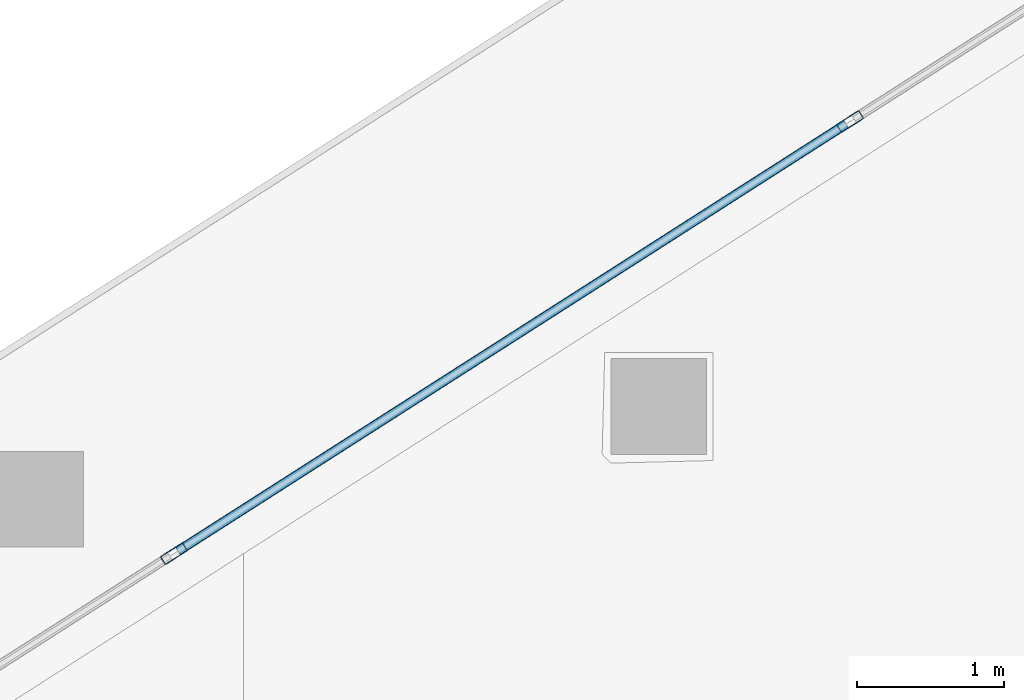
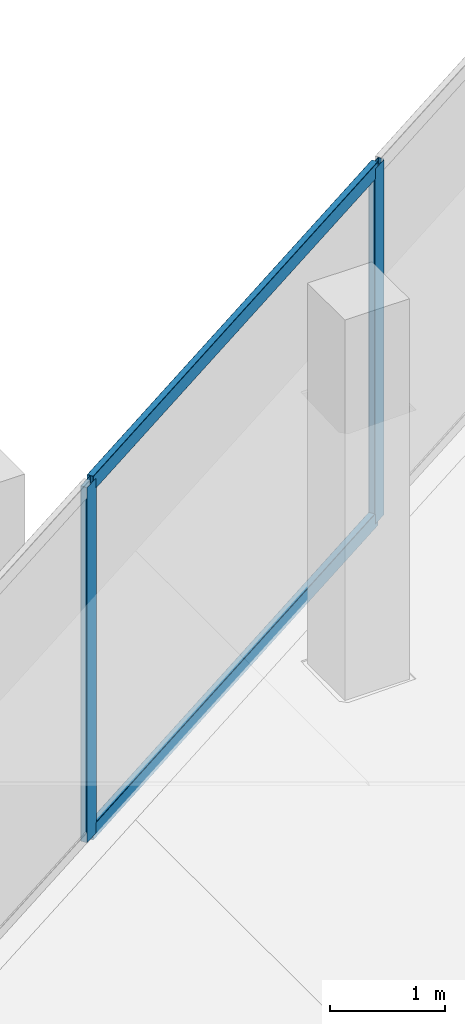
# One storey, part 17 of 38: 4 members, 1 element without a shape of its own.
"""IFC4 building model written with IfcOpenShell, lengths in metres."""

from ifc_helpers import new_model, si_unit, direction, frame, origin, origin_2d, place, context, subcontext, project, spatial, hollow_rectangle, extrude, material, layer, layer_set, material_profile, profile_set, type_object, element, aggregate, save


model = new_model("IFC4")

# Units and contexts
model_context = context("Model", 3, precision=1e-05, world=origin(), true_north=direction((0.0, 1.0)))
body_context = subcontext(model_context, "Body", "Model", "MODEL_VIEW")
ifc_project = project(units=[si_unit("LENGTHUNIT", "METRE"), si_unit("AREAUNIT", "SQUARE_METRE"), si_unit("VOLUMEUNIT", "CUBIC_METRE"), si_unit("PLANEANGLEUNIT", "RADIAN"), si_unit("MASSUNIT", "GRAM", prefix="KILO")], contexts=[model_context])

# Site, building, storey
site_placement = place(None, origin())
site = spatial("IfcSite", under=ifc_project, at=site_placement, CompositionType="ELEMENT")
building_placement = place(site_placement, origin())
building = spatial("IfcBuilding", under=site, at=building_placement, Name="Qorvath Tower", CompositionType="ELEMENT")
storey_placement = place(building_placement, frame((0.0, 0.0, 134.10009765625)))
storey = spatial("IfcBuildingStorey", under=building, at=storey_placement, Name="L30", CompositionType="ELEMENT", Elevation=134.10009765625)

# Curtain wall, members
ifc_material_1 = material(Name="Anodised aluminium and triple low-E glass", Category="aluminium")
ifc_layer = layer(ifc_material_1, 0.179931640625)
ifc_layer_set = layer_set([ifc_layer], Name="CW-SYS-3")
curtain_wall_type = type_object("IfcCurtainWallType", Name="CW-SYS-3", PredefinedType="NOTDEFINED", material=ifc_layer_set)
curtain_wall_placement = place(storey_placement, origin())
curtain_wall = element("IfcCurtainWall", 1, at=curtain_wall_placement, inside=storey, type_object=curtain_wall_type, Name="Curtain Wall CW-3 CW-T-L30-16.1", PredefinedType="NOTDEFINED")
ifc_material_2 = material(Name="Anodised aluminium 6063-T6", Category="aluminium")
ifc_material_profile_1 = material_profile(ifc_material_2, hollow_rectangle(XDim=0.06494140625, YDim=0.179931640625, WallThickness=0.00341796875, InnerFilletRadius=0.00341796875, OuterFilletRadius=0.007080078125, at=origin_2d()), Name="CWM 180x65")
ifc_profile_set_1 = profile_set([ifc_material_profile_1], Name="Anodised aluminium 6063-T6")
member_type_1 = type_object("IfcMemberType", Name="CWM-180", PredefinedType="MULLION", material=ifc_profile_set_1)
member_1_placement = place(storey_placement, frame((-29.716064453125, 21.39697265625, 0.0), z_axis=(0.0, 0.0, 1.0), x_axis=(0.538534399095, -0.842603525385, 0.0)))
member_1 = element("IfcMember", 2, at=member_1_placement, type_object=member_type_1, Name="CW-3 mullion 4", PredefinedType="MULLION", context=body_context, shape_type="SweptSolid", body=[
    extrude(hollow_rectangle(XDim=0.06494140625, YDim=0.179931640625, WallThickness=0.00341796875, InnerFilletRadius=0.00341796875, OuterFilletRadius=0.007080078125, at=origin_2d()), origin(), (0.0, 0.0, 1.0), 3.77978515625),
])
member_2_placement = place(storey_placement, frame((-34.31103515625, 18.460205078125, 0.0), z_axis=(0.0, 0.0, 1.0), x_axis=(0.538534399095, -0.842603525385, 0.0)))
member_2 = element("IfcMember", 3, at=member_2_placement, type_object=member_type_1, Name="CW-3 mullion 5", PredefinedType="MULLION", context=body_context, shape_type="SweptSolid", body=[
    extrude(hollow_rectangle(XDim=0.06494140625, YDim=0.179931640625, WallThickness=0.00341796875, InnerFilletRadius=0.00341796875, OuterFilletRadius=0.007080078125, at=origin_2d()), origin(), (0.0, 0.0, 1.0), 3.77978515625),
])
ifc_material_3 = material(Name="Anodised aluminium 6063-T6", Category="aluminium")
ifc_material_profile_2 = material_profile(ifc_material_3, hollow_rectangle(XDim=0.06494140625, YDim=0.159912109375, WallThickness=0.00341796875, InnerFilletRadius=0.00341796875, OuterFilletRadius=0.007080078125, at=origin_2d()), Name="CWT 160x65")
ifc_profile_set_2 = profile_set([ifc_material_profile_2], Name="Anodised aluminium 6063-T6")
member_type_2 = type_object("IfcMemberType", Name="CWT-160", PredefinedType="USERDEFINED", material=ifc_profile_set_2)
member_3_placement = place(storey_placement, frame((-29.743408203125, 21.37939453125, 0.032470703125), z_axis=(-0.842602030071, -0.538536738691, 0.0), x_axis=(0.538536738691, -0.842602030071, 0.0)))
member_3 = element("IfcMember", 4, at=member_3_placement, type_object=member_type_2, Name="CW-3 transom 4.1", ObjectType="TRANSOM", PredefinedType="USERDEFINED", context=body_context, shape_type="SweptSolid", body=[
    extrude(hollow_rectangle(XDim=0.06494140625, YDim=0.159912109375, WallThickness=0.00341796875, InnerFilletRadius=0.00341796875, OuterFilletRadius=0.007080078125, at=origin_2d()), origin(), (0.0, 0.0, 1.0), 5.388427734375),
])
member_4_placement = place(storey_placement, frame((-29.743408203125, 21.37939453125, 3.747314453125), z_axis=(-0.842602030071, -0.538536738691, 0.0), x_axis=(0.538536738691, -0.842602030071, 0.0)))
member_4 = element("IfcMember", 5, at=member_4_placement, type_object=member_type_2, Name="CW-3 transom 4.2", ObjectType="TRANSOM", PredefinedType="USERDEFINED", context=body_context, shape_type="SweptSolid", body=[
    extrude(hollow_rectangle(XDim=0.06494140625, YDim=0.159912109375, WallThickness=0.00341796875, InnerFilletRadius=0.00341796875, OuterFilletRadius=0.007080078125, at=origin_2d()), origin(), (0.0, 0.0, 1.0), 5.388427734375),
])
aggregate(curtain_wall, [member_1, member_2, member_3, member_4])

save(model, "model.ifc")
